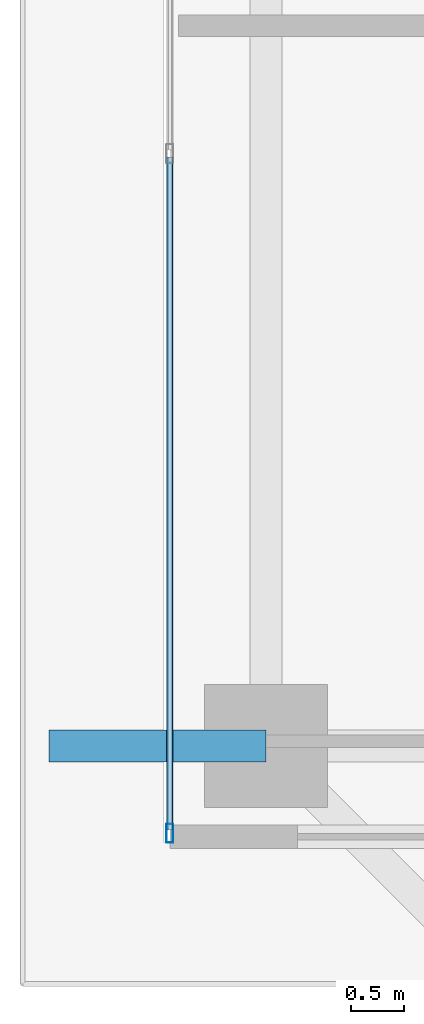
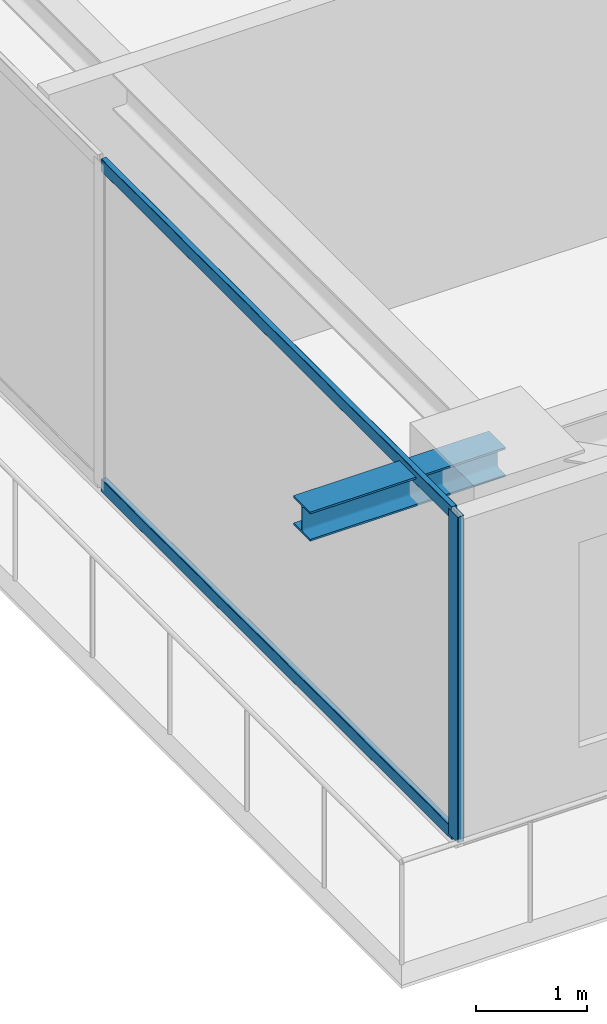
# One storey, part 3 of 38: 3 members, 1 beam, 1 element without a shape of its own.
"""IFC4 building model written with IfcOpenShell, lengths in metres."""

from ifc_helpers import new_model, si_unit, direction, frame, origin, origin_2d, place, context, subcontext, project, spatial, hollow_rectangle, i_section, extrude, source, transform, mapped, material, layer, layer_set, material_profile, profile_set, type_object, element, aggregate, save


model = new_model("IFC4")

# Units and contexts
model_context = context("Model", 3, precision=1e-05, world=origin(), true_north=direction((0.0, 1.0)))
body_context = subcontext(model_context, "Body", "Model", "MODEL_VIEW")
ifc_project = project(units=[si_unit("LENGTHUNIT", "METRE"), si_unit("AREAUNIT", "SQUARE_METRE"), si_unit("VOLUMEUNIT", "CUBIC_METRE"), si_unit("PLANEANGLEUNIT", "RADIAN"), si_unit("MASSUNIT", "GRAM", prefix="KILO")], contexts=[model_context])

# Site, building, storey
site_placement = place(None, origin())
site = spatial("IfcSite", under=ifc_project, at=site_placement, CompositionType="ELEMENT")
building_placement = place(site_placement, origin())
building = spatial("IfcBuilding", under=site, at=building_placement, Name="Serunith Strait Residences", CompositionType="ELEMENT")
storey_placement = place(building_placement, frame((0.0, 0.0, 245.10009765625)))
storey = spatial("IfcBuildingStorey", under=building, at=storey_placement, Name="L61", CompositionType="ELEMENT", Elevation=245.10009765625)

# Beam
ifc_material_1 = material(Name="Steel S355J2", Category="steel")
ifc_material_profile_1 = material_profile(ifc_material_1, i_section(OverallWidth=0.300048828125, OverallDepth=0.320068359375, WebThickness=0.011474609375, FlangeThickness=0.0205078125, FilletRadius=0.027099609375, at=origin_2d()), Name="HEB 320")
ifc_profile_set_1 = profile_set([ifc_material_profile_1], Name="Steel S355J2")
beam_type = type_object("IfcBeamType", Name="BM-HEB320", PredefinedType="BEAM", material=ifc_profile_set_1)
shared_shape_1 = source(origin(), body_context, "Body", "SweptSolid", [
    extrude(i_section(OverallWidth=0.300048828125, OverallDepth=0.320068359375, WebThickness=0.011474609375, FlangeThickness=0.0205078125, FilletRadius=0.027099609375, at=origin_2d()), origin(), (0.0, 0.0, 1.0), 2.030029296875),
])
beam_placement = place(storey_placement, frame((8.300048828125, 10.050048828125, 3.39697265625), z_axis=(-1.0, 0.0, 0.0), x_axis=(0.0, -1.0, 0.0)))
element("IfcBeam", 1, at=beam_placement, inside=storey, type_object=beam_type, Name="L62 Cantilevered Balcony Rib TC-W1", PredefinedType="BEAM", context=body_context, shape_type="MappedRepresentation", body=[
    mapped(shared_shape_1, transform((0.0, 0.0, 0.0), scale=1.0)),
])

# Curtain wall, members
ifc_material_2 = material(Name="Pale-Champagne Anodised Aluminium", Category="aluminium")
ifc_layer = layer(ifc_material_2, 0.199951171875, Name="Pale-Champagne Anodised Aluminium")
ifc_layer_set = layer_set([ifc_layer], Name="Pale-Champagne Anodised Aluminium")
curtain_wall_type = type_object("IfcCurtainWallType", Name="CW-SYS4", PredefinedType="NOTDEFINED", material=ifc_layer_set)
curtain_wall_placement = place(storey_placement, origin())
curtain_wall = element("IfcCurtainWall", 2, at=curtain_wall_placement, inside=storey, type_object=curtain_wall_type, Name="L61 W Unitised Fritted Curtain Wall", PredefinedType="NOTDEFINED")
ifc_material_profile_2 = material_profile(ifc_material_2, hollow_rectangle(XDim=0.06494140625, YDim=0.179931640625, WallThickness=0.00341796875, InnerFilletRadius=0.00537109375, OuterFilletRadius=0.0087890625, at=origin_2d()), Name="ALU 180x65x3.5")
ifc_profile_set_2 = profile_set([ifc_material_profile_2], Name="Pale-Champagne Anodised Aluminium")
member_type_1 = type_object("IfcMemberType", Name="CW-SYS4-MULL", PredefinedType="MULLION", material=ifc_profile_set_2)
shared_shape_2 = source(origin(), body_context, "Body", "SweptSolid", [
    extrude(hollow_rectangle(XDim=0.06494140625, YDim=0.179931640625, WallThickness=0.00341796875, InnerFilletRadius=0.00537109375, OuterFilletRadius=0.0087890625, at=origin_2d()), origin(), (0.0, 0.0, 1.0), 3.574951171875),
])
member_1_placement = place(storey_placement, frame((7.39990234375, 9.232421875, 0.0), z_axis=(0.0, 0.0, 1.0), x_axis=(1.0, 0.0, 0.0)))
member_1 = element("IfcMember", 3, at=member_1_placement, type_object=member_type_1, Name="CW-4 mullion 6", PredefinedType="MULLION", context=body_context, shape_type="MappedRepresentation", body=[
    mapped(shared_shape_2, transform((0.0, 0.0, 0.0), scale=1.0)),
])
ifc_material_profile_3 = material_profile(ifc_material_2, hollow_rectangle(XDim=0.06005859375, YDim=0.139892578125, WallThickness=0.00341796875, InnerFilletRadius=0.00537109375, OuterFilletRadius=0.0087890625, at=origin_2d()), Name="ALU 140x60x3.5")
ifc_profile_set_3 = profile_set([ifc_material_profile_3], Name="Pale-Champagne Anodised Aluminium")
member_type_2 = type_object("IfcMemberType", Name="CW-SYS4-TRAN", PredefinedType="USERDEFINED", material=ifc_profile_set_3)
shared_shape_3 = source(origin(), body_context, "Body", "SweptSolid", [
    extrude(hollow_rectangle(XDim=0.06005859375, YDim=0.139892578125, WallThickness=0.00341796875, InnerFilletRadius=0.00537109375, OuterFilletRadius=0.0087890625, at=origin_2d()), origin(), (0.0, 0.0, 1.0), 6.302490234375),
])
member_2_placement = place(storey_placement, frame((7.39990234375, 15.5673828125, 0.02978515625), z_axis=(0.0, -1.0, 0.0), x_axis=(1.0, 0.0, 0.0)))
member_2 = element("IfcMember", 4, at=member_2_placement, type_object=member_type_2, Name="CW-4 transom 5.1", ObjectType="TRANSOM", PredefinedType="USERDEFINED", context=body_context, shape_type="MappedRepresentation", body=[
    mapped(shared_shape_3, transform((0.0, 0.0, 0.0), scale=1.0)),
])
member_3_placement = place(storey_placement, frame((7.39990234375, 15.5673828125, 3.544921875), z_axis=(0.0, -1.0, 0.0), x_axis=(1.0, 0.0, 0.0)))
member_3 = element("IfcMember", 5, at=member_3_placement, type_object=member_type_2, Name="CW-4 transom 5.2", ObjectType="TRANSOM", PredefinedType="USERDEFINED", context=body_context, shape_type="MappedRepresentation", body=[
    mapped(shared_shape_3, transform((0.0, 0.0, 0.0), scale=1.0)),
])
aggregate(curtain_wall, [member_1, member_2, member_3])

save(model, "model.ifc")
